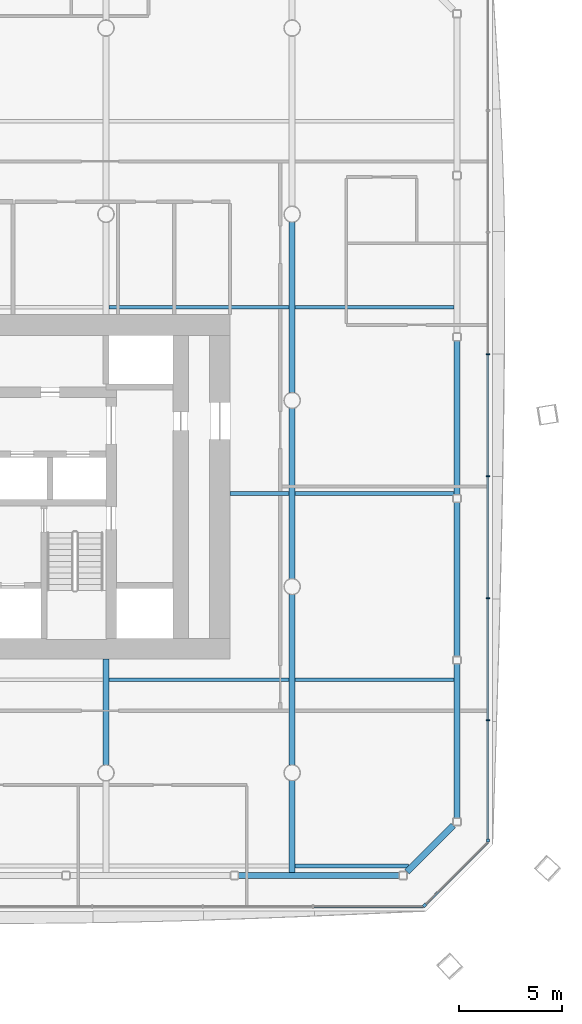
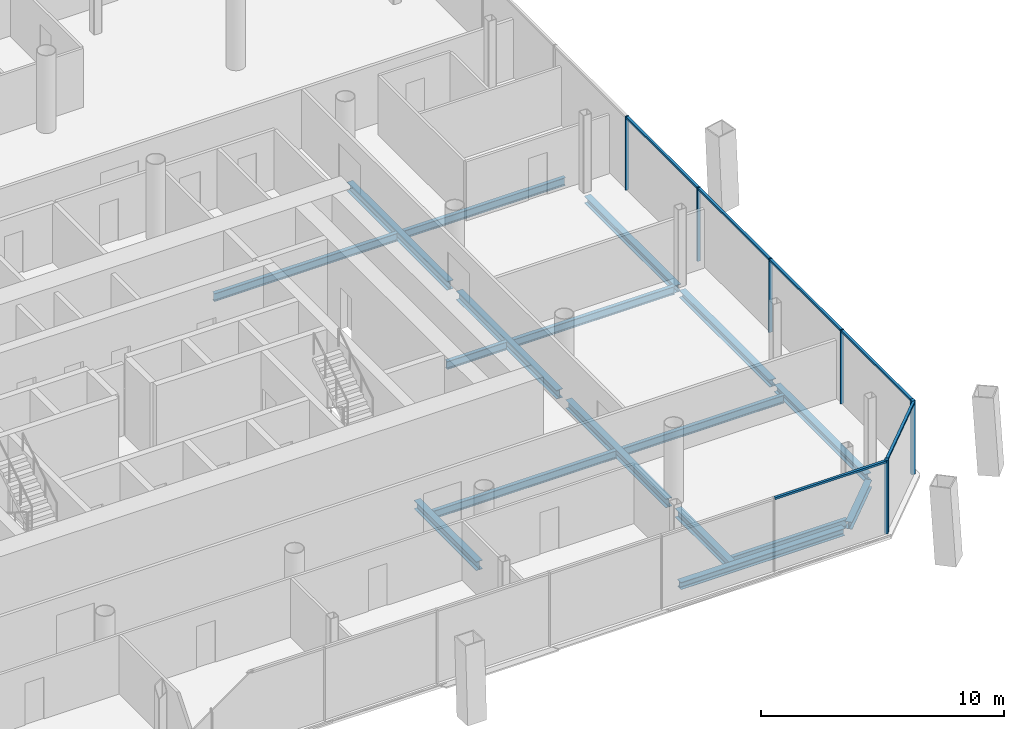
# One storey, part 6 of 19: 17 beams, 12 members, 3 elements without a shape of their own.
"""IFC4 building model written with IfcOpenShell, lengths in metres."""

from ifc_helpers import new_model, si_unit, direction, frame, origin, origin_2d, place, context, subcontext, project, spatial, rectangle, i_section, extrude, material, material_profile, profile_set, type_object, element, aggregate, save


model = new_model("IFC4")

# Units and contexts
model_context = context("Model", 3, precision=1e-05, world=origin(), true_north=direction((0.0, 1.0)))
body_context = subcontext(model_context, "Body", "Model", "MODEL_VIEW")
ifc_project = project(units=[si_unit("LENGTHUNIT", "METRE"), si_unit("AREAUNIT", "SQUARE_METRE"), si_unit("VOLUMEUNIT", "CUBIC_METRE"), si_unit("PLANEANGLEUNIT", "RADIAN"), si_unit("MASSUNIT", "GRAM", prefix="KILO")], contexts=[model_context])

# Site, building, storey
site_placement = place(None, origin())
site = spatial("IfcSite", under=ifc_project, at=site_placement, CompositionType="ELEMENT")
building_placement = place(site_placement, origin())
building = spatial("IfcBuilding", under=site, at=building_placement, Name="Tskaro Facet Tower", CompositionType="ELEMENT")
storey_placement = place(building_placement, frame((0.0, 0.0, 89.39990234375)))
storey = spatial("IfcBuildingStorey", under=building, at=storey_placement, Name="L21", CompositionType="ELEMENT", Elevation=89.39990234375)

# Curtain wall, member
ifc_material_1 = material(Name="Bronze anodised aluminium 6063-T6", Category="aluminium")
curtain_wall_type = type_object("IfcCurtainWallType", Name="Bronze office curtain wall (FW1)", PredefinedType="NOTDEFINED", material=ifc_material_1)
curtain_wall_1_placement = place(storey_placement, origin())
curtain_wall_1 = element("IfcCurtainWall", 1, at=curtain_wall_1_placement, inside=storey, type_object=curtain_wall_type, Name="FW1 south-east facet L21", PredefinedType="NOTDEFINED")
ifc_material_profile_1 = material_profile(ifc_material_1, rectangle(XDim=0.159912109375, YDim=0.159912109375, at=origin_2d()), Name="Corner post 160x160")
ifc_profile_set_1 = profile_set([ifc_material_profile_1], Name="Bronze anodised aluminium 6063-T6")
member_type_1 = type_object("IfcMemberType", Name="FW1 bronze corner post 160x160", PredefinedType="MULLION", material=ifc_profile_set_1)
member_1_placement = place(storey_placement, frame((24.404541015625, -24.406494140625, 0.0), z_axis=(0.0, 0.0, 1.0), x_axis=(0.707106781187, 0.707106781187, 0.0)))
member_1 = element("IfcMember", 2, at=member_1_placement, type_object=member_type_1, Name="FW1 south-east corner post", PredefinedType="MULLION", context=body_context, shape_type="SweptSolid", body=[
    extrude(rectangle(XDim=0.159912109375, YDim=0.159912109375, at=origin_2d()), origin(), (0.0, 0.0, 1.0), 3.7001953125),
])

# Curtain wall, members
curtain_wall_2_placement = place(storey_placement, origin())
curtain_wall_2 = element("IfcCurtainWall", 3, at=curtain_wall_2_placement, inside=storey, type_object=curtain_wall_type, Name="FW1 east facet L21", PredefinedType="NOTDEFINED")
member_2_placement = place(storey_placement, frame((27.462890625, -21.26806640625, 0.0), z_axis=(0.0, 0.0, 1.0), x_axis=(0.0, 1.0, 0.0)))
member_2 = element("IfcMember", 4, at=member_2_placement, type_object=member_type_1, Name="FW1 east corner post", PredefinedType="MULLION", context=body_context, shape_type="SweptSolid", body=[
    extrude(rectangle(XDim=0.159912109375, YDim=0.159912109375, at=origin_2d()), origin(), (0.0, 0.0, 1.0), 3.7001953125),
])
ifc_material_profile_2 = material_profile(ifc_material_1, rectangle(XDim=0.06005859375, YDim=0.159912109375, at=origin_2d()), Name="Mullion 60x160")
ifc_profile_set_2 = profile_set([ifc_material_profile_2], Name="Bronze anodised aluminium 6063-T6")
member_type_2 = type_object("IfcMemberType", Name="FW1 bronze mullion 60x160", PredefinedType="MULLION", material=ifc_profile_set_2)
member_3_placement = place(storey_placement, frame((27.462890625, -15.45361328125, 0.0), z_axis=(0.0, 0.0, 1.0), x_axis=(0.0, 1.0, 0.0)))
member_3 = element("IfcMember", 5, at=member_3_placement, type_object=member_type_2, Name="FW1 east mullion 1", PredefinedType="MULLION", context=body_context, shape_type="SweptSolid", body=[
    extrude(rectangle(XDim=0.06005859375, YDim=0.159912109375, at=origin_2d()), origin(), (0.0, 0.0, 1.0), 3.7001953125),
])
member_4_placement = place(storey_placement, frame((27.462890625, -9.55908203125, 0.0), z_axis=(0.0, 0.0, 1.0), x_axis=(0.0, 1.0, 0.0)))
member_4 = element("IfcMember", 6, at=member_4_placement, type_object=member_type_2, Name="FW1 east mullion 2", PredefinedType="MULLION", context=body_context, shape_type="SweptSolid", body=[
    extrude(rectangle(XDim=0.06005859375, YDim=0.159912109375, at=origin_2d()), origin(), (0.0, 0.0, 1.0), 3.7001953125),
])
member_5_placement = place(storey_placement, frame((27.462890625, -3.664794921875, 0.0), z_axis=(0.0, 0.0, 1.0), x_axis=(0.0, 1.0, 0.0)))
member_5 = element("IfcMember", 7, at=member_5_placement, type_object=member_type_2, Name="FW1 east mullion 3", PredefinedType="MULLION", context=body_context, shape_type="SweptSolid", body=[
    extrude(rectangle(XDim=0.06005859375, YDim=0.159912109375, at=origin_2d()), origin(), (0.0, 0.0, 1.0), 3.7001953125),
])
member_6_placement = place(storey_placement, frame((27.462890625, 2.229736328125, 0.0), z_axis=(0.0, 0.0, 1.0), x_axis=(0.0, 1.0, 0.0)))
member_6 = element("IfcMember", 8, at=member_6_placement, type_object=member_type_2, Name="FW1 east mullion 4", PredefinedType="MULLION", context=body_context, shape_type="SweptSolid", body=[
    extrude(rectangle(XDim=0.06005859375, YDim=0.159912109375, at=origin_2d()), origin(), (0.0, 0.0, 1.0), 3.7001953125),
])

# Curtain wall, member
curtain_wall_3_placement = place(storey_placement, origin())
curtain_wall_3 = element("IfcCurtainWall", 9, at=curtain_wall_3_placement, inside=storey, type_object=curtain_wall_type, Name="FW1 south facet L21", PredefinedType="NOTDEFINED")
ifc_material_profile_3 = material_profile(ifc_material_1, rectangle(XDim=0.1201171875, YDim=0.10009765625, at=origin_2d()), Name="Transom 120x100")
ifc_profile_set_3 = profile_set([ifc_material_profile_3], Name="Bronze anodised aluminium 6063-T6")
member_type_3 = type_object("IfcMemberType", Name="FW1 bronze transom 120x100", PredefinedType="USERDEFINED", material=ifc_profile_set_3)
member_7_placement = place(storey_placement, frame((19.041015625, -24.462890625, 3.650146484375), z_axis=(1.0, 0.0, 0.0), x_axis=(0.0, 1.0, 0.0)))
member_7 = element("IfcMember", 10, at=member_7_placement, type_object=member_type_3, Name="FW1 south transom 8.1", ObjectType="TRANSOM", PredefinedType="USERDEFINED", context=body_context, shape_type="SweptSolid", body=[
    extrude(rectangle(XDim=0.1201171875, YDim=0.10009765625, at=origin_2d()), origin(), (0.0, 0.0, 1.0), 5.306884765625),
])
aggregate(curtain_wall_3, [member_7])

# Member
member_8_placement = place(storey_placement, frame((24.461181640625, -24.349853515625, 3.650146484375), z_axis=(0.707078025904, 0.7071355353, 0.0), x_axis=(-0.7071355353, 0.707078025904, 0.0)))
member_8 = element("IfcMember", 11, at=member_8_placement, type_object=member_type_3, Name="FW1 south-east transom 1.1", ObjectType="TRANSOM", PredefinedType="USERDEFINED", context=body_context, shape_type="SweptSolid", body=[
    extrude(rectangle(XDim=0.1201171875, YDim=0.10009765625, at=origin_2d()), origin(), (0.0, 0.0, 1.0), 4.2451171875),
])

aggregate(curtain_wall_1, [member_1, member_8])

member_9_placement = place(storey_placement, frame((27.462890625, -21.18798828125, 3.650146484375), z_axis=(0.0, 1.0, 0.0), x_axis=(-1.0, 0.0, 0.0)))
member_9 = element("IfcMember", 12, at=member_9_placement, type_object=member_type_3, Name="FW1 east transom 1.1", ObjectType="TRANSOM", PredefinedType="USERDEFINED", context=body_context, shape_type="SweptSolid", body=[
    extrude(rectangle(XDim=0.1201171875, YDim=0.10009765625, at=origin_2d()), origin(), (0.0, 0.0, 1.0), 5.704345703125),
])

member_10_placement = place(storey_placement, frame((27.462890625, -15.423583984375, 3.650146484375), z_axis=(0.0, 1.0, 0.0), x_axis=(-1.0, 0.0, 0.0)))
member_10 = element("IfcMember", 13, at=member_10_placement, type_object=member_type_3, Name="FW1 east transom 2.1", ObjectType="TRANSOM", PredefinedType="USERDEFINED", context=body_context, shape_type="SweptSolid", body=[
    extrude(rectangle(XDim=0.1201171875, YDim=0.10009765625, at=origin_2d()), origin(), (0.0, 0.0, 1.0), 5.83447265625),
])

member_11_placement = place(storey_placement, frame((27.462890625, -9.529052734375, 3.650146484375), z_axis=(0.0, 1.0, 0.0), x_axis=(-1.0, 0.0, 0.0)))
member_11 = element("IfcMember", 14, at=member_11_placement, type_object=member_type_3, Name="FW1 east transom 3.1", ObjectType="TRANSOM", PredefinedType="USERDEFINED", context=body_context, shape_type="SweptSolid", body=[
    extrude(rectangle(XDim=0.1201171875, YDim=0.10009765625, at=origin_2d()), origin(), (0.0, 0.0, 1.0), 5.834228515625),
])

member_12_placement = place(storey_placement, frame((27.462890625, -3.634765625, 3.650146484375), z_axis=(0.0, 1.0, 0.0), x_axis=(-1.0, 0.0, 0.0)))
member_12 = element("IfcMember", 15, at=member_12_placement, type_object=member_type_3, Name="FW1 east transom 4.1", ObjectType="TRANSOM", PredefinedType="USERDEFINED", context=body_context, shape_type="SweptSolid", body=[
    extrude(rectangle(XDim=0.1201171875, YDim=0.10009765625, at=origin_2d()), origin(), (0.0, 0.0, 1.0), 5.83447265625),
])

aggregate(curtain_wall_2, [member_2, member_3, member_4, member_5, member_6, member_9, member_10, member_11, member_12])

# Beams
ifc_material_2 = material(Name="Steel S355J2", Category="steel")
ifc_material_profile_4 = material_profile(ifc_material_2, i_section(OverallWidth=0.300048828125, OverallDepth=0.360107421875, WebThickness=0.012451171875, FlangeThickness=0.0224609375, FilletRadius=0.027099609375, at=origin_2d()), Name="HE 360 B")
ifc_profile_set_4 = profile_set([ifc_material_profile_4], Name="Steel S355J2")
beam_type_1 = type_object("IfcBeamType", Name="HE 360 B ring beam", PredefinedType="BEAM", material=ifc_profile_set_4)
beam_1_placement = place(storey_placement, frame((15.39794921875, -22.965087890625, -0.31982421875), z_axis=(1.0, 0.0, 0.0), x_axis=(0.0, 1.0, 0.0)))
element("IfcBeam", 16, at=beam_1_placement, inside=storey, type_object=beam_type_1, Name="HE 360 B EB5-2", PredefinedType="BEAM", context=body_context, shape_type="SweptSolid", body=[
    extrude(i_section(OverallWidth=0.300048828125, OverallDepth=0.360107421875, WebThickness=0.012451171875, FlangeThickness=0.0224609375, FilletRadius=0.027099609375, at=origin_2d()), origin(), (0.0, 0.0, 1.0), 7.7861328125),
])
beam_2_placement = place(storey_placement, frame((23.5498046875, -22.779052734375, -0.31982421875), z_axis=(0.707106781187, 0.707106781187, 0.0), x_axis=(-0.707106781187, 0.707106781187, 0.0)))
element("IfcBeam", 17, at=beam_2_placement, inside=storey, type_object=beam_type_1, Name="HE 360 B EB6-2", PredefinedType="BEAM", context=body_context, shape_type="SweptSolid", body=[
    extrude(i_section(OverallWidth=0.300048828125, OverallDepth=0.360107421875, WebThickness=0.012451171875, FlangeThickness=0.0224609375, FilletRadius=0.027099609375, at=origin_2d()), origin(), (0.0, 0.0, 1.0), 3.152587890625),
])
beam_3_placement = place(storey_placement, frame((25.965087890625, -20.18408203125, -0.31982421875), z_axis=(0.0, 1.0, 0.0), x_axis=(-1.0, 0.0, 0.0)))
element("IfcBeam", 18, at=beam_3_placement, inside=storey, type_object=beam_type_1, Name="HE 360 B EB7-2", PredefinedType="BEAM", context=body_context, shape_type="SweptSolid", body=[
    extrude(i_section(OverallWidth=0.300048828125, OverallDepth=0.360107421875, WebThickness=0.012451171875, FlangeThickness=0.0224609375, FilletRadius=0.027099609375, at=origin_2d()), origin(), (0.0, 0.0, 1.0), 7.451171875),
])
beam_4_placement = place(storey_placement, frame((25.965087890625, -12.373046875, -0.31982421875), z_axis=(0.0, 1.0, 0.0), x_axis=(-1.0, 0.0, 0.0)))
element("IfcBeam", 19, at=beam_4_placement, inside=storey, type_object=beam_type_1, Name="HE 360 B EB8-2", PredefinedType="BEAM", context=body_context, shape_type="SweptSolid", body=[
    extrude(i_section(OverallWidth=0.300048828125, OverallDepth=0.360107421875, WebThickness=0.012451171875, FlangeThickness=0.0224609375, FilletRadius=0.027099609375, at=origin_2d()), origin(), (0.0, 0.0, 1.0), 7.450927734375),
])
beam_5_placement = place(storey_placement, frame((25.965087890625, -4.56201171875, -0.31982421875), z_axis=(0.0, 1.0, 0.0), x_axis=(-1.0, 0.0, 0.0)))
element("IfcBeam", 20, at=beam_5_placement, inside=storey, type_object=beam_type_1, Name="HE 360 B EB9-2", PredefinedType="BEAM", context=body_context, shape_type="SweptSolid", body=[
    extrude(i_section(OverallWidth=0.300048828125, OverallDepth=0.360107421875, WebThickness=0.012451171875, FlangeThickness=0.0224609375, FilletRadius=0.027099609375, at=origin_2d()), origin(), (0.0, 0.0, 1.0), 7.449951171875),
])
ifc_material_profile_5 = material_profile(ifc_material_2, i_section(OverallWidth=0.300048828125, OverallDepth=0.43994140625, WebThickness=0.011474609375, FlangeThickness=0.02099609375, FilletRadius=0.027099609375, at=origin_2d()), Name="HE 450 A")
ifc_profile_set_5 = profile_set([ifc_material_profile_5], Name="Steel S355J2")
beam_type_2 = type_object("IfcBeamType", Name="HE 450 A girder", PredefinedType="BEAM", material=ifc_profile_set_5)
beam_6_placement = place(storey_placement, frame((9.0, -17.62353515625, -0.35986328125), z_axis=(0.0, 1.0, 0.0), x_axis=(-1.0, 0.0, 0.0)))
element("IfcBeam", 21, at=beam_6_placement, inside=storey, type_object=beam_type_2, Name="HE 450 A GB5-2-2", PredefinedType="BEAM", context=body_context, shape_type="SweptSolid", body=[
    extrude(i_section(OverallWidth=0.300048828125, OverallDepth=0.43994140625, WebThickness=0.011474609375, FlangeThickness=0.02099609375, FilletRadius=0.027099609375, at=origin_2d()), origin(), (0.0, 0.0, 1.0), 5.12353515625),
])
beam_7_placement = place(storey_placement, frame((18.0, -22.81494140625, -0.35986328125), z_axis=(0.0, 1.0, 0.0), x_axis=(-1.0, 0.0, 0.0)))
element("IfcBeam", 22, at=beam_7_placement, inside=storey, type_object=beam_type_2, Name="HE 450 A GB6-1-2", PredefinedType="BEAM", context=body_context, shape_type="SweptSolid", body=[
    extrude(i_section(OverallWidth=0.300048828125, OverallDepth=0.43994140625, WebThickness=0.011474609375, FlangeThickness=0.02099609375, FilletRadius=0.027099609375, at=origin_2d()), origin(), (0.0, 0.0, 1.0), 4.4384765625),
])
for number, where, z_axis, x_axis, name in (
    (23, (18.0, -17.62353515625, -0.35986328125), (0.0, 1.0, 0.0), (-1.0, 0.0, 0.0), "HE 450 A GB6-2-2"),
    (24, (18.0, -8.62353515625, -0.35986328125), (0.0, 1.0, 0.0), (-1.0, 0.0, 0.0), "HE 450 A GB6-3-2"),
    (25, (18.0, 0.37646484375, -0.35986328125), (0.0, 1.0, 0.0), (-1.0, 0.0, 0.0), "HE 450 A GB6-4-2"),
):
    element("IfcBeam", number, at=place(storey_placement, frame(where, z_axis=z_axis, x_axis=x_axis)), inside=storey, type_object=beam_type_2, Name=name, PredefinedType="BEAM", context=body_context, shape_type="SweptSolid", body=[
        extrude(i_section(OverallWidth=0.300048828125, OverallDepth=0.43994140625, WebThickness=0.011474609375, FlangeThickness=0.02099609375, FilletRadius=0.027099609375, at=origin_2d()), origin(), (0.0, 0.0, 1.0), 8.2470703125),
    ])
ifc_material_profile_6 = material_profile(ifc_material_2, i_section(OverallWidth=0.179931640625, OverallDepth=0.39990234375, WebThickness=0.008544921875, FlangeThickness=0.013427734375, FilletRadius=0.02099609375, at=origin_2d()), Name="IPE 400")
ifc_profile_set_6 = profile_set([ifc_material_profile_6], Name="Steel S355J2")
beam_type_3 = type_object("IfcBeamType", Name="IPE 400 secondary beam", PredefinedType="BEAM", material=ifc_profile_set_6)
beam_8_placement = place(storey_placement, frame((18.14990234375, -22.5, -0.33984375), z_axis=(1.0, 0.0, 0.0), x_axis=(0.0, 1.0, 0.0)))
element("IfcBeam", 26, at=beam_8_placement, inside=storey, type_object=beam_type_3, Name="IPE 400 SB1a-5-2", PredefinedType="BEAM", context=body_context, shape_type="SweptSolid", body=[
    extrude(i_section(OverallWidth=0.179931640625, OverallDepth=0.39990234375, WebThickness=0.008544921875, FlangeThickness=0.013427734375, FilletRadius=0.02099609375, at=origin_2d()), origin(), (0.0, 0.0, 1.0), 5.467041015625),
])
beam_9_placement = place(storey_placement, frame((9.14990234375, -13.5, -0.33984375), z_axis=(1.0, 0.0, 0.0), x_axis=(0.0, 1.0, 0.0)))
element("IfcBeam", 27, at=beam_9_placement, inside=storey, type_object=beam_type_3, Name="IPE 400 SB2a-4-2", PredefinedType="BEAM", context=body_context, shape_type="SweptSolid", body=[
    extrude(i_section(OverallWidth=0.179931640625, OverallDepth=0.39990234375, WebThickness=0.008544921875, FlangeThickness=0.013427734375, FilletRadius=0.02099609375, at=origin_2d()), origin(), (0.0, 0.0, 1.0), 8.7001953125),
])
beam_10_placement = place(storey_placement, frame((18.14990234375, -13.5, -0.33984375), z_axis=(1.0, 0.0, 0.0), x_axis=(0.0, 1.0, 0.0)))
element("IfcBeam", 28, at=beam_10_placement, inside=storey, type_object=beam_type_3, Name="IPE 400 SB2a-5-2", PredefinedType="BEAM", context=body_context, shape_type="SweptSolid", body=[
    extrude(i_section(OverallWidth=0.179931640625, OverallDepth=0.39990234375, WebThickness=0.008544921875, FlangeThickness=0.013427734375, FilletRadius=0.02099609375, at=origin_2d()), origin(), (0.0, 0.0, 1.0), 7.6650390625),
])
beam_11_placement = place(storey_placement, frame((15.0, -4.5, -0.33984375), z_axis=(1.0, 0.0, 0.0), x_axis=(0.0, 1.0, 0.0)))
element("IfcBeam", 29, at=beam_11_placement, inside=storey, type_object=beam_type_3, Name="IPE 400 SB3a-2-2", PredefinedType="BEAM", context=body_context, shape_type="SweptSolid", body=[
    extrude(i_section(OverallWidth=0.179931640625, OverallDepth=0.39990234375, WebThickness=0.008544921875, FlangeThickness=0.013427734375, FilletRadius=0.02099609375, at=origin_2d()), origin(), (0.0, 0.0, 1.0), 2.85009765625),
])
beam_12_placement = place(storey_placement, frame((18.14990234375, -4.5, -0.33984375), z_axis=(1.0, 0.0, 0.0), x_axis=(0.0, 1.0, 0.0)))
element("IfcBeam", 30, at=beam_12_placement, inside=storey, type_object=beam_type_3, Name="IPE 400 SB3a-3-2", PredefinedType="BEAM", context=body_context, shape_type="SweptSolid", body=[
    extrude(i_section(OverallWidth=0.179931640625, OverallDepth=0.39990234375, WebThickness=0.008544921875, FlangeThickness=0.013427734375, FilletRadius=0.02099609375, at=origin_2d()), origin(), (0.0, 0.0, 1.0), 7.6650390625),
])
beam_13_placement = place(storey_placement, frame((9.14990234375, 4.5, -0.33984375), z_axis=(1.0, 0.0, 0.0), x_axis=(0.0, 1.0, 0.0)))
element("IfcBeam", 31, at=beam_13_placement, inside=storey, type_object=beam_type_3, Name="IPE 400 SB4a-4-2", PredefinedType="BEAM", context=body_context, shape_type="SweptSolid", body=[
    extrude(i_section(OverallWidth=0.179931640625, OverallDepth=0.39990234375, WebThickness=0.008544921875, FlangeThickness=0.013427734375, FilletRadius=0.02099609375, at=origin_2d()), origin(), (0.0, 0.0, 1.0), 8.7001953125),
])
beam_14_placement = place(storey_placement, frame((18.14990234375, 4.5, -0.33984375), z_axis=(1.0, 0.0, 0.0), x_axis=(0.0, 1.0, 0.0)))
element("IfcBeam", 32, at=beam_14_placement, inside=storey, type_object=beam_type_3, Name="IPE 400 SB4a-5-2", PredefinedType="BEAM", context=body_context, shape_type="SweptSolid", body=[
    extrude(i_section(OverallWidth=0.179931640625, OverallDepth=0.39990234375, WebThickness=0.008544921875, FlangeThickness=0.013427734375, FilletRadius=0.02099609375, at=origin_2d()), origin(), (0.0, 0.0, 1.0), 7.6650390625),
])

save(model, "model.ifc")
